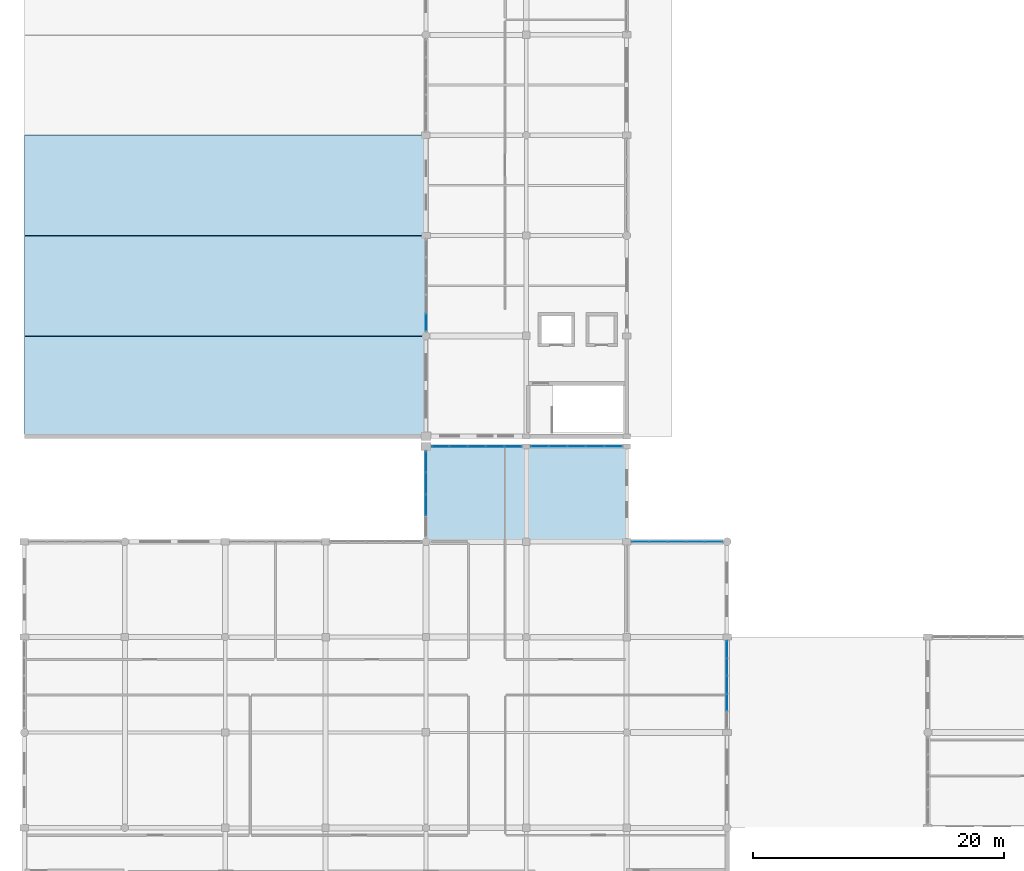
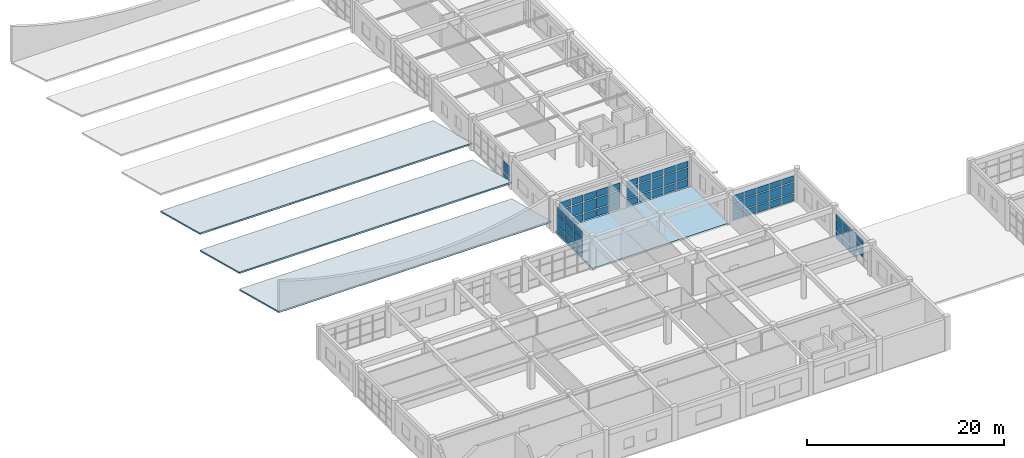
# One storey, part 91 of 121: 67 plates, 4 slabs, 6 elements without a shape of their own.
"""IFC4 building model written with IfcOpenShell, lengths in metres."""

from ifc_helpers import new_model, si_unit, direction, frame, origin, origin_2d, place, context, subcontext, project, spatial, polyline, rectangle, outline, extrude, material, layer, layer_set, type_object, element, aggregate, save


model = new_model("IFC4")

# Units and contexts
model_context = context("Model", 3, precision=1e-05, world=origin(), true_north=direction((0.0, 1.0)))
body_context = subcontext(model_context, "Body", "Model", "MODEL_VIEW")
ifc_project = project(units=[si_unit("LENGTHUNIT", "METRE"), si_unit("AREAUNIT", "SQUARE_METRE"), si_unit("VOLUMEUNIT", "CUBIC_METRE"), si_unit("PLANEANGLEUNIT", "RADIAN"), si_unit("MASSUNIT", "GRAM", prefix="KILO")], contexts=[model_context])

# Site, building, storey
site_placement = place(None, origin())
site = spatial("IfcSite", under=ifc_project, at=site_placement, CompositionType="ELEMENT")
building_placement = place(site_placement, origin())
building = spatial("IfcBuilding", under=site, at=building_placement, Name="Kharva Crest Polytechnic", CompositionType="ELEMENT")
storey_placement = place(building_placement, frame((0.0, 0.0, 13.199951171875)))
storey = spatial("IfcBuildingStorey", under=building, at=storey_placement, Name="L03", CompositionType="ELEMENT", Elevation=13.199951171875)

# Curtain wall, plates
ifc_material_1 = material(Name="Tempered insulated glass", Category="glass")
curtain_wall_type = type_object("IfcCurtainWallType", Name="CW-SYS-COURT", PredefinedType="USERDEFINED", material=ifc_material_1)
curtain_wall_1_placement = place(storey_placement, origin())
curtain_wall_1 = element("IfcCurtainWall", 1, at=curtain_wall_1_placement, inside=storey, type_object=curtain_wall_type, Name="L03 Glazed Curtain Wall CW-125", ObjectType="CURTAIN WALL", PredefinedType="USERDEFINED")
ifc_layer_1 = layer(ifc_material_1, 0.02392578125, Name="Tempered insulated glass")
ifc_layer_set_1 = layer_set([ifc_layer_1], Name="Tempered insulated glass")
plate_type = type_object("IfcPlateType", Name="CWP-GLZ-24", PredefinedType="CURTAIN_PANEL", material=ifc_layer_set_1)
plate_1_placement = place(storey_placement, frame((56.0, 17.58203125, 1.10986328125), z_axis=(0.0, 0.0, 1.0), x_axis=(0.0, 1.0, 0.0)))
plate_1 = element("IfcPlate", 2, at=plate_1_placement, type_object=plate_type, Name="CW-125 panel 2.2", PredefinedType="CURTAIN_PANEL", context=body_context, shape_type="SweptSolid", body=[
    extrude(rectangle(XDim=1.337890625, YDim=0.02392578125, at=origin_2d()), origin(), (0.0, 0.0, 1.0), 1.280029296875),
])
plate_2_placement = place(storey_placement, frame((56.0, 17.58203125, 2.510009765625), z_axis=(0.0, 0.0, 1.0), x_axis=(0.0, 1.0, 0.0)))
plate_2 = element("IfcPlate", 3, at=plate_2_placement, type_object=plate_type, Name="CW-125 panel 2.3", PredefinedType="CURTAIN_PANEL", context=body_context, shape_type="SweptSolid", body=[
    extrude(rectangle(XDim=1.337890625, YDim=0.02392578125, at=origin_2d()), origin(), (0.0, 0.0, 1.0), 0.7099609375),
])
plate_3_placement = place(storey_placement, frame((56.0, 19.0, 0.119873046875), z_axis=(0.0, 0.0, 1.0), x_axis=(0.0, 1.0, 0.0)))
plate_3 = element("IfcPlate", 4, at=plate_3_placement, type_object=plate_type, Name="CW-125 panel 3.1", PredefinedType="CURTAIN_PANEL", context=body_context, shape_type="SweptSolid", body=[
    extrude(rectangle(XDim=1.337890625, YDim=0.02392578125, at=origin_2d()), origin(), (0.0, 0.0, 1.0), 0.8701171875),
])
plate_4_placement = place(storey_placement, frame((56.0, 19.0, 1.10986328125), z_axis=(0.0, 0.0, 1.0), x_axis=(0.0, 1.0, 0.0)))
plate_4 = element("IfcPlate", 5, at=plate_4_placement, type_object=plate_type, Name="CW-125 panel 3.2", PredefinedType="CURTAIN_PANEL", context=body_context, shape_type="SweptSolid", body=[
    extrude(rectangle(XDim=1.337890625, YDim=0.02392578125, at=origin_2d()), origin(), (0.0, 0.0, 1.0), 1.280029296875),
])
plate_5_placement = place(storey_placement, frame((56.0, 19.0, 2.510009765625), z_axis=(0.0, 0.0, 1.0), x_axis=(0.0, 1.0, 0.0)))
plate_5 = element("IfcPlate", 6, at=plate_5_placement, type_object=plate_type, Name="CW-125 panel 3.3", PredefinedType="CURTAIN_PANEL", context=body_context, shape_type="SweptSolid", body=[
    extrude(rectangle(XDim=1.337890625, YDim=0.02392578125, at=origin_2d()), origin(), (0.0, 0.0, 1.0), 0.7099609375),
])
plate_6_placement = place(storey_placement, frame((56.0, 20.41796875, 0.119873046875), z_axis=(0.0, 0.0, 1.0), x_axis=(0.0, 1.0, 0.0)))
plate_6 = element("IfcPlate", 7, at=plate_6_placement, type_object=plate_type, Name="CW-125 panel 4.1", PredefinedType="CURTAIN_PANEL", context=body_context, shape_type="SweptSolid", body=[
    extrude(rectangle(XDim=1.337890625, YDim=0.02392578125, at=origin_2d()), origin(), (0.0, 0.0, 1.0), 0.8701171875),
])
plate_7_placement = place(storey_placement, frame((56.0, 20.41796875, 1.10986328125), z_axis=(0.0, 0.0, 1.0), x_axis=(0.0, 1.0, 0.0)))
plate_7 = element("IfcPlate", 8, at=plate_7_placement, type_object=plate_type, Name="CW-125 panel 4.2", PredefinedType="CURTAIN_PANEL", context=body_context, shape_type="SweptSolid", body=[
    extrude(rectangle(XDim=1.337890625, YDim=0.02392578125, at=origin_2d()), origin(), (0.0, 0.0, 1.0), 1.280029296875),
])
plate_8_placement = place(storey_placement, frame((56.0, 20.41796875, 2.510009765625), z_axis=(0.0, 0.0, 1.0), x_axis=(0.0, 1.0, 0.0)))
plate_8 = element("IfcPlate", 9, at=plate_8_placement, type_object=plate_type, Name="CW-125 panel 4.3", PredefinedType="CURTAIN_PANEL", context=body_context, shape_type="SweptSolid", body=[
    extrude(rectangle(XDim=1.337890625, YDim=0.02392578125, at=origin_2d()), origin(), (0.0, 0.0, 1.0), 0.7099609375),
])
plate_9_placement = place(storey_placement, frame((56.0, 21.81591796875, 0.119873046875), z_axis=(0.0, 0.0, 1.0), x_axis=(0.0, 1.0, 0.0)))
plate_9 = element("IfcPlate", 10, at=plate_9_placement, type_object=plate_type, Name="CW-125 panel 5.1", PredefinedType="CURTAIN_PANEL", context=body_context, shape_type="SweptSolid", body=[
    extrude(rectangle(XDim=1.298095703125, YDim=0.02392578125, at=origin_2d()), origin(), (0.0, 0.0, 1.0), 0.8701171875),
])
plate_10_placement = place(storey_placement, frame((56.0, 21.81591796875, 1.10986328125), z_axis=(0.0, 0.0, 1.0), x_axis=(0.0, 1.0, 0.0)))
plate_10 = element("IfcPlate", 11, at=plate_10_placement, type_object=plate_type, Name="CW-125 panel 5.2", PredefinedType="CURTAIN_PANEL", context=body_context, shape_type="SweptSolid", body=[
    extrude(rectangle(XDim=1.298095703125, YDim=0.02392578125, at=origin_2d()), origin(), (0.0, 0.0, 1.0), 1.280029296875),
])
plate_11_placement = place(storey_placement, frame((56.0, 21.81591796875, 2.510009765625), z_axis=(0.0, 0.0, 1.0), x_axis=(0.0, 1.0, 0.0)))
plate_11 = element("IfcPlate", 12, at=plate_11_placement, type_object=plate_type, Name="CW-125 panel 5.3", PredefinedType="CURTAIN_PANEL", context=body_context, shape_type="SweptSolid", body=[
    extrude(rectangle(XDim=1.298095703125, YDim=0.02392578125, at=origin_2d()), origin(), (0.0, 0.0, 1.0), 0.7099609375),
])
aggregate(curtain_wall_1, [plate_1, plate_2, plate_3, plate_4, plate_5, plate_6, plate_7, plate_8, plate_9, plate_10, plate_11])

curtain_wall_2_placement = place(storey_placement, origin())
curtain_wall_2 = element("IfcCurtainWall", 13, at=curtain_wall_2_placement, inside=storey, type_object=curtain_wall_type, Name="L03 Glazed Curtain Wall CW-126", ObjectType="CURTAIN WALL", PredefinedType="USERDEFINED")
plate_12_placement = place(storey_placement, frame((54.922119140625, 30.39990234375, 0.119873046875), z_axis=(0.0, 0.0, 1.0), x_axis=(-1.0, 0.0, 0.0)))
plate_12 = element("IfcPlate", 14, at=plate_12_placement, type_object=plate_type, Name="CW-126 panel 1.1", PredefinedType="CURTAIN_PANEL", context=body_context, shape_type="SweptSolid", body=[
    extrude(rectangle(XDim=1.345947265625, YDim=0.02392578125, at=origin_2d()), origin(), (0.0, 0.0, 1.0), 0.8701171875),
])
plate_13_placement = place(storey_placement, frame((54.922119140625, 30.39990234375, 1.10986328125), z_axis=(0.0, 0.0, 1.0), x_axis=(-1.0, 0.0, 0.0)))
plate_13 = element("IfcPlate", 15, at=plate_13_placement, type_object=plate_type, Name="CW-126 panel 1.2", PredefinedType="CURTAIN_PANEL", context=body_context, shape_type="SweptSolid", body=[
    extrude(rectangle(XDim=1.345947265625, YDim=0.02392578125, at=origin_2d()), origin(), (0.0, 0.0, 1.0), 1.280029296875),
])
plate_14_placement = place(storey_placement, frame((54.922119140625, 30.39990234375, 2.510009765625), z_axis=(0.0, 0.0, 1.0), x_axis=(-1.0, 0.0, 0.0)))
plate_14 = element("IfcPlate", 16, at=plate_14_placement, type_object=plate_type, Name="CW-126 panel 1.3", PredefinedType="CURTAIN_PANEL", context=body_context, shape_type="SweptSolid", body=[
    extrude(rectangle(XDim=1.345947265625, YDim=0.02392578125, at=origin_2d()), origin(), (0.0, 0.0, 1.0), 0.72998046875),
])
plate_15_placement = place(storey_placement, frame((53.47607421875, 30.39990234375, 0.119873046875), z_axis=(0.0, 0.0, 1.0), x_axis=(-1.0, 0.0, 0.0)))
plate_15 = element("IfcPlate", 17, at=plate_15_placement, type_object=plate_type, Name="CW-126 panel 2.1", PredefinedType="CURTAIN_PANEL", context=body_context, shape_type="SweptSolid", body=[
    extrude(rectangle(XDim=1.385986328125, YDim=0.02392578125, at=origin_2d()), origin(), (0.0, 0.0, 1.0), 0.8701171875),
])
plate_16_placement = place(storey_placement, frame((53.47607421875, 30.39990234375, 1.10986328125), z_axis=(0.0, 0.0, 1.0), x_axis=(-1.0, 0.0, 0.0)))
plate_16 = element("IfcPlate", 18, at=plate_16_placement, type_object=plate_type, Name="CW-126 panel 2.2", PredefinedType="CURTAIN_PANEL", context=body_context, shape_type="SweptSolid", body=[
    extrude(rectangle(XDim=1.385986328125, YDim=0.02392578125, at=origin_2d()), origin(), (0.0, 0.0, 1.0), 1.280029296875),
])
plate_17_placement = place(storey_placement, frame((53.47607421875, 30.39990234375, 2.510009765625), z_axis=(0.0, 0.0, 1.0), x_axis=(-1.0, 0.0, 0.0)))
plate_17 = element("IfcPlate", 19, at=plate_17_placement, type_object=plate_type, Name="CW-126 panel 2.3", PredefinedType="CURTAIN_PANEL", context=body_context, shape_type="SweptSolid", body=[
    extrude(rectangle(XDim=1.385986328125, YDim=0.02392578125, at=origin_2d()), origin(), (0.0, 0.0, 1.0), 0.72998046875),
])
plate_18_placement = place(storey_placement, frame((52.010009765625, 30.39990234375, 0.119873046875), z_axis=(0.0, 0.0, 1.0), x_axis=(-1.0, 0.0, 0.0)))
plate_18 = element("IfcPlate", 20, at=plate_18_placement, type_object=plate_type, Name="CW-126 panel 3.1", PredefinedType="CURTAIN_PANEL", context=body_context, shape_type="SweptSolid", body=[
    extrude(rectangle(XDim=1.385986328125, YDim=0.02392578125, at=origin_2d()), origin(), (0.0, 0.0, 1.0), 0.8701171875),
])
plate_19_placement = place(storey_placement, frame((52.010009765625, 30.39990234375, 1.10986328125), z_axis=(0.0, 0.0, 1.0), x_axis=(-1.0, 0.0, 0.0)))
plate_19 = element("IfcPlate", 21, at=plate_19_placement, type_object=plate_type, Name="CW-126 panel 3.2", PredefinedType="CURTAIN_PANEL", context=body_context, shape_type="SweptSolid", body=[
    extrude(rectangle(XDim=1.385986328125, YDim=0.02392578125, at=origin_2d()), origin(), (0.0, 0.0, 1.0), 1.280029296875),
])
plate_20_placement = place(storey_placement, frame((52.010009765625, 30.39990234375, 2.510009765625), z_axis=(0.0, 0.0, 1.0), x_axis=(-1.0, 0.0, 0.0)))
plate_20 = element("IfcPlate", 22, at=plate_20_placement, type_object=plate_type, Name="CW-126 panel 3.3", PredefinedType="CURTAIN_PANEL", context=body_context, shape_type="SweptSolid", body=[
    extrude(rectangle(XDim=1.385986328125, YDim=0.02392578125, at=origin_2d()), origin(), (0.0, 0.0, 1.0), 0.72998046875),
])
plate_21_placement = place(storey_placement, frame((50.5439453125, 30.39990234375, 0.119873046875), z_axis=(0.0, 0.0, 1.0), x_axis=(-1.0, 0.0, 0.0)))
plate_21 = element("IfcPlate", 23, at=plate_21_placement, type_object=plate_type, Name="CW-126 panel 4.1", PredefinedType="CURTAIN_PANEL", context=body_context, shape_type="SweptSolid", body=[
    extrude(rectangle(XDim=1.385986328125, YDim=0.02392578125, at=origin_2d()), origin(), (0.0, 0.0, 1.0), 0.8701171875),
])
plate_22_placement = place(storey_placement, frame((50.5439453125, 30.39990234375, 1.10986328125), z_axis=(0.0, 0.0, 1.0), x_axis=(-1.0, 0.0, 0.0)))
plate_22 = element("IfcPlate", 24, at=plate_22_placement, type_object=plate_type, Name="CW-126 panel 4.2", PredefinedType="CURTAIN_PANEL", context=body_context, shape_type="SweptSolid", body=[
    extrude(rectangle(XDim=1.385986328125, YDim=0.02392578125, at=origin_2d()), origin(), (0.0, 0.0, 1.0), 1.280029296875),
])
plate_23_placement = place(storey_placement, frame((50.5439453125, 30.39990234375, 2.510009765625), z_axis=(0.0, 0.0, 1.0), x_axis=(-1.0, 0.0, 0.0)))
plate_23 = element("IfcPlate", 25, at=plate_23_placement, type_object=plate_type, Name="CW-126 panel 4.3", PredefinedType="CURTAIN_PANEL", context=body_context, shape_type="SweptSolid", body=[
    extrude(rectangle(XDim=1.385986328125, YDim=0.02392578125, at=origin_2d()), origin(), (0.0, 0.0, 1.0), 0.72998046875),
])
plate_24_placement = place(storey_placement, frame((49.097900390625, 30.39990234375, 0.119873046875), z_axis=(0.0, 0.0, 1.0), x_axis=(-1.0, 0.0, 0.0)))
plate_24 = element("IfcPlate", 26, at=plate_24_placement, type_object=plate_type, Name="CW-126 panel 5.1", PredefinedType="CURTAIN_PANEL", context=body_context, shape_type="SweptSolid", body=[
    extrude(rectangle(XDim=1.345947265625, YDim=0.02392578125, at=origin_2d()), origin(), (0.0, 0.0, 1.0), 0.8701171875),
])
plate_25_placement = place(storey_placement, frame((49.097900390625, 30.39990234375, 1.10986328125), z_axis=(0.0, 0.0, 1.0), x_axis=(-1.0, 0.0, 0.0)))
plate_25 = element("IfcPlate", 27, at=plate_25_placement, type_object=plate_type, Name="CW-126 panel 5.2", PredefinedType="CURTAIN_PANEL", context=body_context, shape_type="SweptSolid", body=[
    extrude(rectangle(XDim=1.345947265625, YDim=0.02392578125, at=origin_2d()), origin(), (0.0, 0.0, 1.0), 1.280029296875),
])
plate_26_placement = place(storey_placement, frame((49.097900390625, 30.39990234375, 2.510009765625), z_axis=(0.0, 0.0, 1.0), x_axis=(-1.0, 0.0, 0.0)))
plate_26 = element("IfcPlate", 28, at=plate_26_placement, type_object=plate_type, Name="CW-126 panel 5.3", PredefinedType="CURTAIN_PANEL", context=body_context, shape_type="SweptSolid", body=[
    extrude(rectangle(XDim=1.345947265625, YDim=0.02392578125, at=origin_2d()), origin(), (0.0, 0.0, 1.0), 0.72998046875),
])
aggregate(curtain_wall_2, [plate_12, plate_13, plate_14, plate_15, plate_16, plate_17, plate_18, plate_19, plate_20, plate_21, plate_22, plate_23, plate_24, plate_25, plate_26])

curtain_wall_3_placement = place(storey_placement, origin())
curtain_wall_3 = element("IfcCurtainWall", 29, at=curtain_wall_3_placement, inside=storey, type_object=curtain_wall_type, Name="L03 Glazed Curtain Wall CW-127", ObjectType="CURTAIN WALL", PredefinedType="USERDEFINED")
plate_27_placement = place(storey_placement, frame((46.93603515625, 38.0, 0.119873046875), z_axis=(0.0, 0.0, 1.0), x_axis=(-1.0, 0.0, 0.0)))
plate_27 = element("IfcPlate", 30, at=plate_27_placement, type_object=plate_type, Name="CW-127 panel 1.1", PredefinedType="CURTAIN_PANEL", context=body_context, shape_type="SweptSolid", body=[
    extrude(rectangle(XDim=1.35791015625, YDim=0.02392578125, at=origin_2d()), origin(), (0.0, 0.0, 1.0), 0.8701171875),
])
plate_28_placement = place(storey_placement, frame((46.93603515625, 38.0, 1.10986328125), z_axis=(0.0, 0.0, 1.0), x_axis=(-1.0, 0.0, 0.0)))
plate_28 = element("IfcPlate", 31, at=plate_28_placement, type_object=plate_type, Name="CW-127 panel 1.2", PredefinedType="CURTAIN_PANEL", context=body_context, shape_type="SweptSolid", body=[
    extrude(rectangle(XDim=1.35791015625, YDim=0.02392578125, at=origin_2d()), origin(), (0.0, 0.0, 1.0), 1.280029296875),
])
plate_29_placement = place(storey_placement, frame((46.93603515625, 38.0, 2.510009765625), z_axis=(0.0, 0.0, 1.0), x_axis=(-1.0, 0.0, 0.0)))
plate_29 = element("IfcPlate", 32, at=plate_29_placement, type_object=plate_type, Name="CW-127 panel 1.3", PredefinedType="CURTAIN_PANEL", context=body_context, shape_type="SweptSolid", body=[
    extrude(rectangle(XDim=1.35791015625, YDim=0.02392578125, at=origin_2d()), origin(), (0.0, 0.0, 1.0), 0.72998046875),
])
plate_30_placement = place(storey_placement, frame((45.47802734375, 38.0, 0.119873046875), z_axis=(0.0, 0.0, 1.0), x_axis=(-1.0, 0.0, 0.0)))
plate_30 = element("IfcPlate", 33, at=plate_30_placement, type_object=plate_type, Name="CW-127 panel 2.1", PredefinedType="CURTAIN_PANEL", context=body_context, shape_type="SweptSolid", body=[
    extrude(rectangle(XDim=1.39794921875, YDim=0.02392578125, at=origin_2d()), origin(), (0.0, 0.0, 1.0), 0.8701171875),
])
plate_31_placement = place(storey_placement, frame((45.47802734375, 38.0, 1.10986328125), z_axis=(0.0, 0.0, 1.0), x_axis=(-1.0, 0.0, 0.0)))
plate_31 = element("IfcPlate", 34, at=plate_31_placement, type_object=plate_type, Name="CW-127 panel 2.2", PredefinedType="CURTAIN_PANEL", context=body_context, shape_type="SweptSolid", body=[
    extrude(rectangle(XDim=1.39794921875, YDim=0.02392578125, at=origin_2d()), origin(), (0.0, 0.0, 1.0), 1.280029296875),
])
plate_32_placement = place(storey_placement, frame((45.47802734375, 38.0, 2.510009765625), z_axis=(0.0, 0.0, 1.0), x_axis=(-1.0, 0.0, 0.0)))
plate_32 = element("IfcPlate", 35, at=plate_32_placement, type_object=plate_type, Name="CW-127 panel 2.3", PredefinedType="CURTAIN_PANEL", context=body_context, shape_type="SweptSolid", body=[
    extrude(rectangle(XDim=1.39794921875, YDim=0.02392578125, at=origin_2d()), origin(), (0.0, 0.0, 1.0), 0.72998046875),
])
plate_33_placement = place(storey_placement, frame((44.0, 38.0, 0.119873046875), z_axis=(0.0, 0.0, 1.0), x_axis=(-1.0, 0.0, 0.0)))
plate_33 = element("IfcPlate", 36, at=plate_33_placement, type_object=plate_type, Name="CW-127 panel 3.1", PredefinedType="CURTAIN_PANEL", context=body_context, shape_type="SweptSolid", body=[
    extrude(rectangle(XDim=1.39794921875, YDim=0.02392578125, at=origin_2d()), origin(), (0.0, 0.0, 1.0), 0.8701171875),
])
plate_34_placement = place(storey_placement, frame((44.0, 38.0, 1.10986328125), z_axis=(0.0, 0.0, 1.0), x_axis=(-1.0, 0.0, 0.0)))
plate_34 = element("IfcPlate", 37, at=plate_34_placement, type_object=plate_type, Name="CW-127 panel 3.2", PredefinedType="CURTAIN_PANEL", context=body_context, shape_type="SweptSolid", body=[
    extrude(rectangle(XDim=1.39794921875, YDim=0.02392578125, at=origin_2d()), origin(), (0.0, 0.0, 1.0), 1.280029296875),
])
plate_35_placement = place(storey_placement, frame((44.0, 38.0, 2.510009765625), z_axis=(0.0, 0.0, 1.0), x_axis=(-1.0, 0.0, 0.0)))
plate_35 = element("IfcPlate", 38, at=plate_35_placement, type_object=plate_type, Name="CW-127 panel 3.3", PredefinedType="CURTAIN_PANEL", context=body_context, shape_type="SweptSolid", body=[
    extrude(rectangle(XDim=1.39794921875, YDim=0.02392578125, at=origin_2d()), origin(), (0.0, 0.0, 1.0), 0.72998046875),
])
plate_36_placement = place(storey_placement, frame((42.52197265625, 38.0, 0.119873046875), z_axis=(0.0, 0.0, 1.0), x_axis=(-1.0, 0.0, 0.0)))
plate_36 = element("IfcPlate", 39, at=plate_36_placement, type_object=plate_type, Name="CW-127 panel 4.1", PredefinedType="CURTAIN_PANEL", context=body_context, shape_type="SweptSolid", body=[
    extrude(rectangle(XDim=1.39794921875, YDim=0.02392578125, at=origin_2d()), origin(), (0.0, 0.0, 1.0), 0.8701171875),
])
plate_37_placement = place(storey_placement, frame((42.52197265625, 38.0, 1.10986328125), z_axis=(0.0, 0.0, 1.0), x_axis=(-1.0, 0.0, 0.0)))
plate_37 = element("IfcPlate", 40, at=plate_37_placement, type_object=plate_type, Name="CW-127 panel 4.2", PredefinedType="CURTAIN_PANEL", context=body_context, shape_type="SweptSolid", body=[
    extrude(rectangle(XDim=1.39794921875, YDim=0.02392578125, at=origin_2d()), origin(), (0.0, 0.0, 1.0), 1.280029296875),
])
plate_38_placement = place(storey_placement, frame((42.52197265625, 38.0, 2.510009765625), z_axis=(0.0, 0.0, 1.0), x_axis=(-1.0, 0.0, 0.0)))
plate_38 = element("IfcPlate", 41, at=plate_38_placement, type_object=plate_type, Name="CW-127 panel 4.3", PredefinedType="CURTAIN_PANEL", context=body_context, shape_type="SweptSolid", body=[
    extrude(rectangle(XDim=1.39794921875, YDim=0.02392578125, at=origin_2d()), origin(), (0.0, 0.0, 1.0), 0.72998046875),
])
plate_39_placement = place(storey_placement, frame((41.06396484375, 38.0, 0.119873046875), z_axis=(0.0, 0.0, 1.0), x_axis=(-1.0, 0.0, 0.0)))
plate_39 = element("IfcPlate", 42, at=plate_39_placement, type_object=plate_type, Name="CW-127 panel 5.1", PredefinedType="CURTAIN_PANEL", context=body_context, shape_type="SweptSolid", body=[
    extrude(rectangle(XDim=1.35791015625, YDim=0.02392578125, at=origin_2d()), origin(), (0.0, 0.0, 1.0), 0.8701171875),
])
plate_40_placement = place(storey_placement, frame((41.06396484375, 38.0, 1.10986328125), z_axis=(0.0, 0.0, 1.0), x_axis=(-1.0, 0.0, 0.0)))
plate_40 = element("IfcPlate", 43, at=plate_40_placement, type_object=plate_type, Name="CW-127 panel 5.2", PredefinedType="CURTAIN_PANEL", context=body_context, shape_type="SweptSolid", body=[
    extrude(rectangle(XDim=1.35791015625, YDim=0.02392578125, at=origin_2d()), origin(), (0.0, 0.0, 1.0), 1.280029296875),
])
plate_41_placement = place(storey_placement, frame((41.06396484375, 38.0, 2.510009765625), z_axis=(0.0, 0.0, 1.0), x_axis=(-1.0, 0.0, 0.0)))
plate_41 = element("IfcPlate", 44, at=plate_41_placement, type_object=plate_type, Name="CW-127 panel 5.3", PredefinedType="CURTAIN_PANEL", context=body_context, shape_type="SweptSolid", body=[
    extrude(rectangle(XDim=1.35791015625, YDim=0.02392578125, at=origin_2d()), origin(), (0.0, 0.0, 1.0), 0.72998046875),
])
aggregate(curtain_wall_3, [plate_27, plate_28, plate_29, plate_30, plate_31, plate_32, plate_33, plate_34, plate_35, plate_36, plate_37, plate_38, plate_39, plate_40, plate_41])

curtain_wall_4_placement = place(storey_placement, origin())
curtain_wall_4 = element("IfcCurtainWall", 45, at=curtain_wall_4_placement, inside=storey, type_object=curtain_wall_type, Name="L03 Glazed Curtain Wall CW-128", ObjectType="CURTAIN WALL", PredefinedType="USERDEFINED")
plate_42_placement = place(storey_placement, frame((38.946044921875, 38.0, 0.119873046875), z_axis=(0.0, 0.0, 1.0), x_axis=(-1.0, 0.0, 0.0)))
plate_42 = element("IfcPlate", 46, at=plate_42_placement, type_object=plate_type, Name="CW-128 panel 1.1", PredefinedType="CURTAIN_PANEL", context=body_context, shape_type="SweptSolid", body=[
    extrude(rectangle(XDim=1.337890625, YDim=0.02392578125, at=origin_2d()), origin(), (0.0, 0.0, 1.0), 0.8701171875),
])
plate_43_placement = place(storey_placement, frame((38.946044921875, 38.0, 1.10986328125), z_axis=(0.0, 0.0, 1.0), x_axis=(-1.0, 0.0, 0.0)))
plate_43 = element("IfcPlate", 47, at=plate_43_placement, type_object=plate_type, Name="CW-128 panel 1.2", PredefinedType="CURTAIN_PANEL", context=body_context, shape_type="SweptSolid", body=[
    extrude(rectangle(XDim=1.337890625, YDim=0.02392578125, at=origin_2d()), origin(), (0.0, 0.0, 1.0), 1.280029296875),
])
plate_44_placement = place(storey_placement, frame((38.946044921875, 38.0, 2.510009765625), z_axis=(0.0, 0.0, 1.0), x_axis=(-1.0, 0.0, 0.0)))
plate_44 = element("IfcPlate", 48, at=plate_44_placement, type_object=plate_type, Name="CW-128 panel 1.3", PredefinedType="CURTAIN_PANEL", context=body_context, shape_type="SweptSolid", body=[
    extrude(rectangle(XDim=1.337890625, YDim=0.02392578125, at=origin_2d()), origin(), (0.0, 0.0, 1.0), 0.830078125),
])
plate_45_placement = place(storey_placement, frame((37.508056640625, 38.0, 0.119873046875), z_axis=(0.0, 0.0, 1.0), x_axis=(-1.0, 0.0, 0.0)))
plate_45 = element("IfcPlate", 49, at=plate_45_placement, type_object=plate_type, Name="CW-128 panel 2.1", PredefinedType="CURTAIN_PANEL", context=body_context, shape_type="SweptSolid", body=[
    extrude(rectangle(XDim=1.3779296875, YDim=0.02392578125, at=origin_2d()), origin(), (0.0, 0.0, 1.0), 0.8701171875),
])
plate_46_placement = place(storey_placement, frame((37.508056640625, 38.0, 1.10986328125), z_axis=(0.0, 0.0, 1.0), x_axis=(-1.0, 0.0, 0.0)))
plate_46 = element("IfcPlate", 50, at=plate_46_placement, type_object=plate_type, Name="CW-128 panel 2.2", PredefinedType="CURTAIN_PANEL", context=body_context, shape_type="SweptSolid", body=[
    extrude(rectangle(XDim=1.3779296875, YDim=0.02392578125, at=origin_2d()), origin(), (0.0, 0.0, 1.0), 1.280029296875),
])
plate_47_placement = place(storey_placement, frame((37.508056640625, 38.0, 2.510009765625), z_axis=(0.0, 0.0, 1.0), x_axis=(-1.0, 0.0, 0.0)))
plate_47 = element("IfcPlate", 51, at=plate_47_placement, type_object=plate_type, Name="CW-128 panel 2.3", PredefinedType="CURTAIN_PANEL", context=body_context, shape_type="SweptSolid", body=[
    extrude(rectangle(XDim=1.3779296875, YDim=0.02392578125, at=origin_2d()), origin(), (0.0, 0.0, 1.0), 0.830078125),
])
plate_48_placement = place(storey_placement, frame((36.050048828125, 38.0, 0.119873046875), z_axis=(0.0, 0.0, 1.0), x_axis=(-1.0, 0.0, 0.0)))
plate_48 = element("IfcPlate", 52, at=plate_48_placement, type_object=plate_type, Name="CW-128 panel 3.1", PredefinedType="CURTAIN_PANEL", context=body_context, shape_type="SweptSolid", body=[
    extrude(rectangle(XDim=1.3779296875, YDim=0.02392578125, at=origin_2d()), origin(), (0.0, 0.0, 1.0), 0.8701171875),
])
plate_49_placement = place(storey_placement, frame((36.050048828125, 38.0, 1.10986328125), z_axis=(0.0, 0.0, 1.0), x_axis=(-1.0, 0.0, 0.0)))
plate_49 = element("IfcPlate", 53, at=plate_49_placement, type_object=plate_type, Name="CW-128 panel 3.2", PredefinedType="CURTAIN_PANEL", context=body_context, shape_type="SweptSolid", body=[
    extrude(rectangle(XDim=1.3779296875, YDim=0.02392578125, at=origin_2d()), origin(), (0.0, 0.0, 1.0), 1.280029296875),
])
plate_50_placement = place(storey_placement, frame((36.050048828125, 38.0, 2.510009765625), z_axis=(0.0, 0.0, 1.0), x_axis=(-1.0, 0.0, 0.0)))
plate_50 = element("IfcPlate", 54, at=plate_50_placement, type_object=plate_type, Name="CW-128 panel 3.3", PredefinedType="CURTAIN_PANEL", context=body_context, shape_type="SweptSolid", body=[
    extrude(rectangle(XDim=1.3779296875, YDim=0.02392578125, at=origin_2d()), origin(), (0.0, 0.0, 1.0), 0.830078125),
])
plate_51_placement = place(storey_placement, frame((34.592041015625, 38.0, 0.119873046875), z_axis=(0.0, 0.0, 1.0), x_axis=(-1.0, 0.0, 0.0)))
plate_51 = element("IfcPlate", 55, at=plate_51_placement, type_object=plate_type, Name="CW-128 panel 4.1", PredefinedType="CURTAIN_PANEL", context=body_context, shape_type="SweptSolid", body=[
    extrude(rectangle(XDim=1.3779296875, YDim=0.02392578125, at=origin_2d()), origin(), (0.0, 0.0, 1.0), 0.8701171875),
])
plate_52_placement = place(storey_placement, frame((34.592041015625, 38.0, 1.10986328125), z_axis=(0.0, 0.0, 1.0), x_axis=(-1.0, 0.0, 0.0)))
plate_52 = element("IfcPlate", 56, at=plate_52_placement, type_object=plate_type, Name="CW-128 panel 4.2", PredefinedType="CURTAIN_PANEL", context=body_context, shape_type="SweptSolid", body=[
    extrude(rectangle(XDim=1.3779296875, YDim=0.02392578125, at=origin_2d()), origin(), (0.0, 0.0, 1.0), 1.280029296875),
])
plate_53_placement = place(storey_placement, frame((34.592041015625, 38.0, 2.510009765625), z_axis=(0.0, 0.0, 1.0), x_axis=(-1.0, 0.0, 0.0)))
plate_53 = element("IfcPlate", 57, at=plate_53_placement, type_object=plate_type, Name="CW-128 panel 4.3", PredefinedType="CURTAIN_PANEL", context=body_context, shape_type="SweptSolid", body=[
    extrude(rectangle(XDim=1.3779296875, YDim=0.02392578125, at=origin_2d()), origin(), (0.0, 0.0, 1.0), 0.830078125),
])
plate_54_placement = place(storey_placement, frame((33.154052734375, 38.0, 0.119873046875), z_axis=(0.0, 0.0, 1.0), x_axis=(-1.0, 0.0, 0.0)))
plate_54 = element("IfcPlate", 58, at=plate_54_placement, type_object=plate_type, Name="CW-128 panel 5.1", PredefinedType="CURTAIN_PANEL", context=body_context, shape_type="SweptSolid", body=[
    extrude(rectangle(XDim=1.337890625, YDim=0.02392578125, at=origin_2d()), origin(), (0.0, 0.0, 1.0), 0.8701171875),
])
plate_55_placement = place(storey_placement, frame((33.154052734375, 38.0, 1.10986328125), z_axis=(0.0, 0.0, 1.0), x_axis=(-1.0, 0.0, 0.0)))
plate_55 = element("IfcPlate", 59, at=plate_55_placement, type_object=plate_type, Name="CW-128 panel 5.2", PredefinedType="CURTAIN_PANEL", context=body_context, shape_type="SweptSolid", body=[
    extrude(rectangle(XDim=1.337890625, YDim=0.02392578125, at=origin_2d()), origin(), (0.0, 0.0, 1.0), 1.280029296875),
])
plate_56_placement = place(storey_placement, frame((33.154052734375, 38.0, 2.510009765625), z_axis=(0.0, 0.0, 1.0), x_axis=(-1.0, 0.0, 0.0)))
plate_56 = element("IfcPlate", 60, at=plate_56_placement, type_object=plate_type, Name="CW-128 panel 5.3", PredefinedType="CURTAIN_PANEL", context=body_context, shape_type="SweptSolid", body=[
    extrude(rectangle(XDim=1.337890625, YDim=0.02392578125, at=origin_2d()), origin(), (0.0, 0.0, 1.0), 0.830078125),
])
aggregate(curtain_wall_4, [plate_42, plate_43, plate_44, plate_45, plate_46, plate_47, plate_48, plate_49, plate_50, plate_51, plate_52, plate_53, plate_54, plate_55, plate_56])

curtain_wall_5_placement = place(storey_placement, origin())
curtain_wall_5 = element("IfcCurtainWall", 61, at=curtain_wall_5_placement, inside=storey, type_object=curtain_wall_type, Name="L03 Glazed Curtain Wall CW-129", ObjectType="CURTAIN WALL", PredefinedType="USERDEFINED")
plate_57_placement = place(storey_placement, frame((32.0, 36.781982421875, 0.119873046875), z_axis=(0.0, 0.0, 1.0), x_axis=(0.0, -1.0, 0.0)))
plate_57 = element("IfcPlate", 62, at=plate_57_placement, type_object=plate_type, Name="CW-129 panel 1.1", PredefinedType="CURTAIN_PANEL", context=body_context, shape_type="SweptSolid", body=[
    extrude(rectangle(XDim=1.6162109375, YDim=0.02392578125, at=origin_2d()), origin(), (0.0, 0.0, 1.0), 0.8701171875),
])
plate_58_placement = place(storey_placement, frame((32.0, 36.781982421875, 1.10986328125), z_axis=(0.0, 0.0, 1.0), x_axis=(0.0, -1.0, 0.0)))
plate_58 = element("IfcPlate", 63, at=plate_58_placement, type_object=plate_type, Name="CW-129 panel 1.2", PredefinedType="CURTAIN_PANEL", context=body_context, shape_type="SweptSolid", body=[
    extrude(rectangle(XDim=1.6162109375, YDim=0.02392578125, at=origin_2d()), origin(), (0.0, 0.0, 1.0), 1.280029296875),
])
plate_59_placement = place(storey_placement, frame((32.0, 36.781982421875, 2.510009765625), z_axis=(0.0, 0.0, 1.0), x_axis=(0.0, -1.0, 0.0)))
plate_59 = element("IfcPlate", 64, at=plate_59_placement, type_object=plate_type, Name="CW-129 panel 1.3", PredefinedType="CURTAIN_PANEL", context=body_context, shape_type="SweptSolid", body=[
    extrude(rectangle(XDim=1.6162109375, YDim=0.02392578125, at=origin_2d()), origin(), (0.0, 0.0, 1.0), 0.81005859375),
])
plate_60_placement = place(storey_placement, frame((32.0, 35.065673828125, 0.119873046875), z_axis=(0.0, 0.0, 1.0), x_axis=(0.0, -1.0, 0.0)))
plate_60 = element("IfcPlate", 65, at=plate_60_placement, type_object=plate_type, Name="CW-129 panel 2.1", PredefinedType="CURTAIN_PANEL", context=body_context, shape_type="SweptSolid", body=[
    extrude(rectangle(XDim=1.65625, YDim=0.02392578125, at=origin_2d()), origin(), (0.0, 0.0, 1.0), 0.8701171875),
])
plate_61_placement = place(storey_placement, frame((32.0, 35.065673828125, 1.10986328125), z_axis=(0.0, 0.0, 1.0), x_axis=(0.0, -1.0, 0.0)))
plate_61 = element("IfcPlate", 66, at=plate_61_placement, type_object=plate_type, Name="CW-129 panel 2.2", PredefinedType="CURTAIN_PANEL", context=body_context, shape_type="SweptSolid", body=[
    extrude(rectangle(XDim=1.65625, YDim=0.02392578125, at=origin_2d()), origin(), (0.0, 0.0, 1.0), 1.280029296875),
])
plate_62_placement = place(storey_placement, frame((32.0, 35.065673828125, 2.510009765625), z_axis=(0.0, 0.0, 1.0), x_axis=(0.0, -1.0, 0.0)))
plate_62 = element("IfcPlate", 67, at=plate_62_placement, type_object=plate_type, Name="CW-129 panel 2.3", PredefinedType="CURTAIN_PANEL", context=body_context, shape_type="SweptSolid", body=[
    extrude(rectangle(XDim=1.65625, YDim=0.02392578125, at=origin_2d()), origin(), (0.0, 0.0, 1.0), 0.81005859375),
])
plate_63_placement = place(storey_placement, frame((32.0, 33.329345703125, 0.119873046875), z_axis=(0.0, 0.0, 1.0), x_axis=(0.0, -1.0, 0.0)))
plate_63 = element("IfcPlate", 68, at=plate_63_placement, type_object=plate_type, Name="CW-129 panel 3.1", PredefinedType="CURTAIN_PANEL", context=body_context, shape_type="SweptSolid", body=[
    extrude(rectangle(XDim=1.65625, YDim=0.02392578125, at=origin_2d()), origin(), (0.0, 0.0, 1.0), 0.8701171875),
])
plate_64_placement = place(storey_placement, frame((32.0, 33.329345703125, 1.10986328125), z_axis=(0.0, 0.0, 1.0), x_axis=(0.0, -1.0, 0.0)))
plate_64 = element("IfcPlate", 69, at=plate_64_placement, type_object=plate_type, Name="CW-129 panel 3.2", PredefinedType="CURTAIN_PANEL", context=body_context, shape_type="SweptSolid", body=[
    extrude(rectangle(XDim=1.65625, YDim=0.02392578125, at=origin_2d()), origin(), (0.0, 0.0, 1.0), 1.280029296875),
])
plate_65_placement = place(storey_placement, frame((32.0, 33.329345703125, 2.510009765625), z_axis=(0.0, 0.0, 1.0), x_axis=(0.0, -1.0, 0.0)))
plate_65 = element("IfcPlate", 70, at=plate_65_placement, type_object=plate_type, Name="CW-129 panel 3.3", PredefinedType="CURTAIN_PANEL", context=body_context, shape_type="SweptSolid", body=[
    extrude(rectangle(XDim=1.65625, YDim=0.02392578125, at=origin_2d()), origin(), (0.0, 0.0, 1.0), 0.81005859375),
])
aggregate(curtain_wall_5, [plate_57, plate_58, plate_59, plate_60, plate_61, plate_62, plate_63, plate_64, plate_65])

curtain_wall_6_placement = place(storey_placement, origin())
curtain_wall_6 = element("IfcCurtainWall", 71, at=curtain_wall_6_placement, inside=storey, type_object=curtain_wall_type, Name="L03 Glazed Curtain Wall CW-168", ObjectType="CURTAIN WALL", PredefinedType="USERDEFINED")
plate_66_placement = place(storey_placement, frame((32.0, 47.886962890625, 0.119873046875), z_axis=(0.0, 0.0, 1.0), x_axis=(0.0, -1.0, 0.0)))
plate_66 = element("IfcPlate", 72, at=plate_66_placement, type_object=plate_type, Name="CW-168 panel 5.1", PredefinedType="CURTAIN_PANEL", context=body_context, shape_type="SweptSolid", body=[
    extrude(rectangle(XDim=1.364013671875, YDim=0.02392578125, at=origin_2d()), origin(), (0.0, 0.0, 1.0), 0.8701171875),
])
plate_67_placement = place(storey_placement, frame((32.0, 47.886962890625, 1.10986328125), z_axis=(0.0, 0.0, 1.0), x_axis=(0.0, -1.0, 0.0)))
plate_67 = element("IfcPlate", 73, at=plate_67_placement, type_object=plate_type, Name="CW-168 panel 5.2", PredefinedType="CURTAIN_PANEL", context=body_context, shape_type="SweptSolid", body=[
    extrude(rectangle(XDim=1.364013671875, YDim=0.02392578125, at=origin_2d()), origin(), (0.0, 0.0, 1.0), 1.280029296875),
])
aggregate(curtain_wall_6, [plate_66, plate_67])

# Slabs
ifc_material_2 = material(Name="Concrete C35/45", Category="concrete")
ifc_layer_2 = layer(ifc_material_2, 0.2099609375, Name="Concrete C35/45")
ifc_layer_set_2 = layer_set([ifc_layer_2], Name="Concrete C35/45")
slab_type_1 = type_object("IfcSlabType", Name="SLB-FLR-210", PredefinedType="FLOOR", material=ifc_layer_set_2)
slab_placement = place(storey_placement, frame((0.0, 0.0, -0.2099609375)))
element("IfcSlab", 74, at=slab_placement, inside=storey, type_object=slab_type_1, Name="L03 Structural Slab SW_LINK_TOP", PredefinedType="FLOOR", context=body_context, shape_type="SweptSolid", body=[
    extrude(outline(polyline([(32.0, 30.39990234375), (48.0, 30.39990234375), (48.0, 38.0), (32.0, 38.0), (32.0, 30.39990234375)])), origin(), (0.0, 0.0, 1.0), 0.2099609375),
])
ifc_layer_3 = layer(ifc_material_2, 0.169921875, Name="Concrete C35/45")
ifc_layer_set_3 = layer_set([ifc_layer_3], Name="Concrete C35/45")
slab_type_2 = type_object("IfcSlabType", Name="SLB-ROOF-170", PredefinedType="ROOF", material=ifc_layer_set_3)
for number, where, z_axis, x_axis, name in (
    (75, (0.0, 38.800048828125, 0.75), (0.0, 0.253881559468, 0.967235314575), (1.0, 0.0, 0.0), "Workshop Space-Frame Sloped Roof Bay 1"),
    (76, (0.0, 46.800048828125, 0.75), (0.0, 0.253881559468, 0.967235314575), (1.0, 0.0, 0.0), "Workshop Space-Frame Sloped Roof Bay 2"),
    (77, (0.0, 54.800048828125, 0.75), (0.0, 0.253881559468, 0.967235314575), (1.0, 0.0, 0.0), "Workshop Space-Frame Sloped Roof Bay 3"),
):
    element("IfcSlab", number, at=place(storey_placement, frame(where, z_axis=z_axis, x_axis=x_axis)), inside=storey, type_object=slab_type_2, Name=name, PredefinedType="ROOF", context=body_context, shape_type="SweptSolid", body=[
        extrude(outline(polyline([(0.0, 0.0), (32.0, 0.0), (32.0, 8.270996601805773), (0.0, 8.270996601805773), (0.0, 0.0)])), origin(), (0.0, 0.0, -1.0), 0.169921875),
    ])

save(model, "model.ifc")
